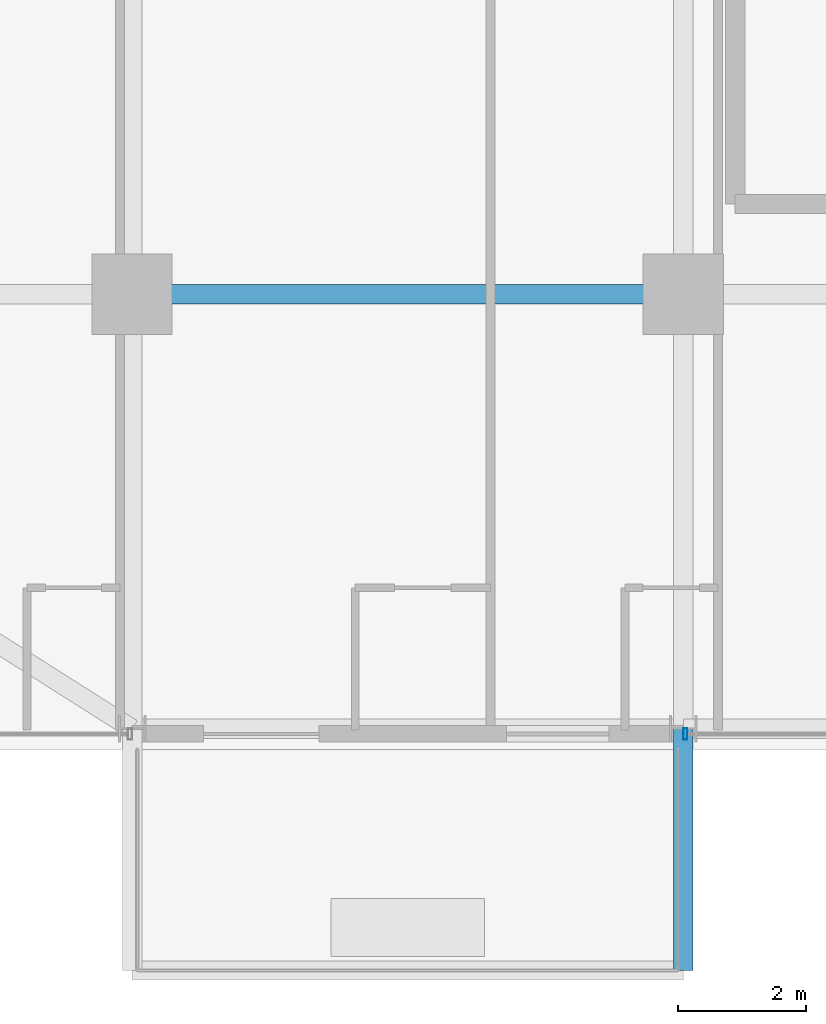
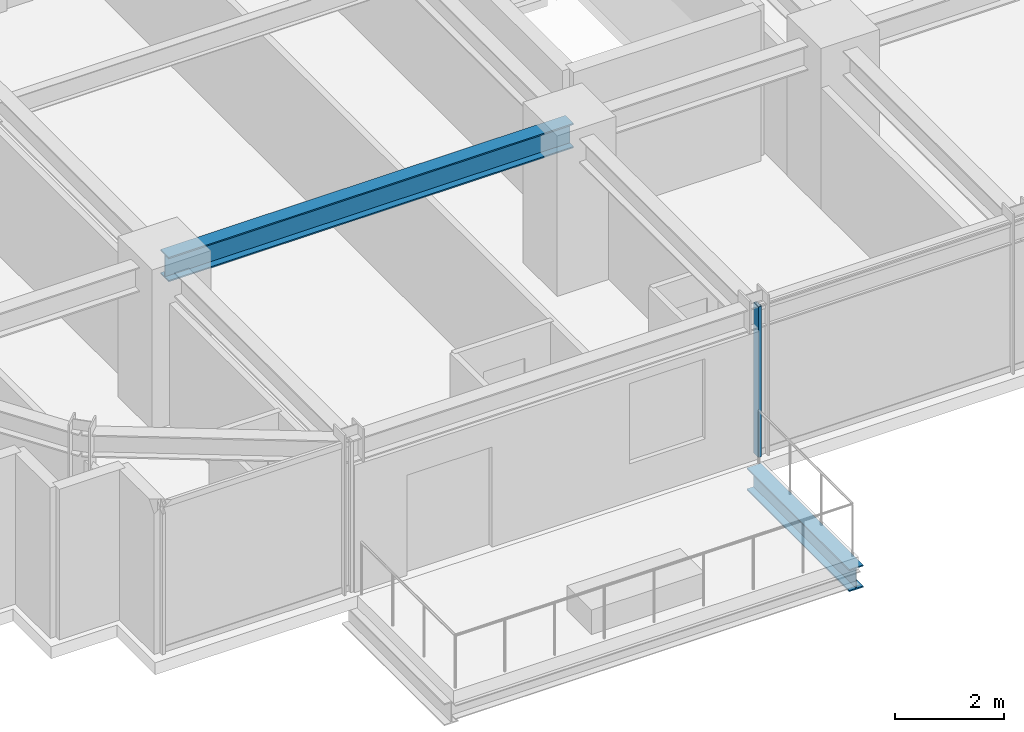
# One storey, part 5 of 32: 2 beams, 1 member, 1 element without a shape of its own.
"""IFC4 building model written with IfcOpenShell, lengths in metres."""

from ifc_helpers import new_model, si_unit, direction, frame, origin, origin_2d, place, context, subcontext, project, spatial, hollow_rectangle, i_section, extrude, source, transform, mapped, material, material_profile, profile_set, type_object, element, aggregate, save


model = new_model("IFC4")

# Units and contexts
model_context = context("Model", 3, precision=1e-05, world=origin(), true_north=direction((0.0, 1.0)))
body_context = subcontext(model_context, "Body", "Model", "MODEL_VIEW")
ifc_project = project(units=[si_unit("LENGTHUNIT", "METRE"), si_unit("AREAUNIT", "SQUARE_METRE"), si_unit("VOLUMEUNIT", "CUBIC_METRE"), si_unit("PLANEANGLEUNIT", "RADIAN"), si_unit("MASSUNIT", "GRAM", prefix="KILO")], contexts=[model_context])

# Site, building, storey
site_placement = place(None, origin())
site = spatial("IfcSite", under=ifc_project, at=site_placement, CompositionType="ELEMENT")
building_placement = place(site_placement, origin())
building = spatial("IfcBuilding", under=site, at=building_placement, Name="Nahalor Promenade Grand Hotel", CompositionType="ELEMENT")
storey_placement = place(building_placement, frame((0.0, 0.0, 124.800048828125)))
storey = spatial("IfcBuildingStorey", under=building, at=storey_placement, Name="L31", CompositionType="ELEMENT", Elevation=124.800048828125)

# Beams
ifc_material_1 = material(Name="Steel S355JR", Category="steel")
ifc_material_profile_1 = material_profile(ifc_material_1, i_section(OverallWidth=0.3, OverallDepth=0.5, WebThickness=0.0145, FlangeThickness=0.028, at=origin_2d()), Name="HEB 500")
ifc_profile_set_1 = profile_set([ifc_material_profile_1], Name="Steel S355JR")
beam_type_1 = type_object("IfcBeamType", Name="Beam-Outrigger-HEB500", PredefinedType="BEAM", material=ifc_profile_set_1)
shared_shape_1 = source(origin(), body_context, "Body", "SweptSolid", [
    extrude(i_section(OverallWidth=0.3, OverallDepth=0.5, WebThickness=0.0145, FlangeThickness=0.028, at=origin_2d()), origin(), (0.0, 0.0, 1.0), 3.77001953125),
])
beam_1_placement = place(storey_placement, frame((-8.39990234375, -27.550048828125, -0.530029296875), z_axis=(0.0, 1.0, 0.0), x_axis=(-1.0, 0.0, 0.0)))
element("IfcBeam", 1, at=beam_1_placement, inside=storey, type_object=beam_type_1, Name="BM-L31-BC-01-2", PredefinedType="BEAM", context=body_context, shape_type="MappedRepresentation", body=[
    mapped(shared_shape_1, transform((0.0, 0.0, 0.0), scale=1.0)),
])
ifc_material_profile_2 = material_profile(ifc_material_1, i_section(OverallWidth=0.3, OverallDepth=0.55, WebThickness=0.015, FlangeThickness=0.029, at=origin_2d()), Name="HEB 550")
ifc_profile_set_2 = profile_set([ifc_material_profile_2], Name="Steel S355JR")
beam_type_2 = type_object("IfcBeamType", Name="Beam-Girder-HEB550", PredefinedType="BEAM", material=ifc_profile_set_2)
shared_shape_2 = source(origin(), body_context, "Body", "SweptSolid", [
    extrude(i_section(OverallWidth=0.3, OverallDepth=0.55, WebThickness=0.015, FlangeThickness=0.029, at=origin_2d()), origin(), (0.0, 0.0, 1.0), 8.60009765625),
])
beam_2_placement = place(storey_placement, frame((-17.0, -17.0, 3.10498046875), z_axis=(1.0, 0.0, 0.0), x_axis=(0.0, 1.0, 0.0)))
element("IfcBeam", 2, at=beam_2_placement, inside=storey, type_object=beam_type_2, Name="BM-L31-GX-0-1", PredefinedType="BEAM", context=body_context, shape_type="MappedRepresentation", body=[
    mapped(shared_shape_2, transform((0.0, 0.0, 0.0), scale=1.0)),
])

# Curtain wall, member
ifc_material_2 = material(Name="Anodised Bronze Aluminium EN AW-6063 T6", Category="aluminium")
curtain_wall_type = type_object("IfcCurtainWallType", Name="CW2 Typical Hotel Flush Bronze Unitised Curtain Wall", PredefinedType="USERDEFINED", material=ifc_material_2)
curtain_wall_placement = place(storey_placement, origin())
curtain_wall = element("IfcCurtainWall", 3, at=curtain_wall_placement, inside=storey, type_object=curtain_wall_type, Name="L31 Curtain Wall CW-L31-S-3", ObjectType="UNITISED_CURTAIN_WALL", PredefinedType="USERDEFINED")
ifc_material_profile_3 = material_profile(ifc_material_2, hollow_rectangle(XDim=0.065, YDim=0.18, WallThickness=0.004, at=origin_2d()), Name="CWM 65x180x4")
ifc_profile_set_3 = profile_set([ifc_material_profile_3], Name="Anodised Bronze Aluminium EN AW-6063 T6")
member_type = type_object("IfcMemberType", Name="CWM2 Typical Bronze Mullion 65x180", PredefinedType="MULLION", material=ifc_profile_set_3)
shared_shape_3 = source(origin(), body_context, "Body", "SweptSolid", [
    extrude(hollow_rectangle(XDim=0.065, YDim=0.18, WallThickness=0.004, at=origin_2d()), origin(), (0.0, 0.0, 1.0), 3.3798828125),
])
member_placement = place(storey_placement, frame((-8.367431640625, -23.860107421875, 0.0), z_axis=(0.0, 0.0, 1.0), x_axis=(1.0, 0.0, 0.0)))
member = element("IfcMember", 4, at=member_placement, type_object=member_type, Name="CW-L31-S-3 Mullion 0", PredefinedType="MULLION", context=body_context, shape_type="MappedRepresentation", body=[
    mapped(shared_shape_3, transform((0.0, 0.0, 0.0), scale=1.0)),
])
aggregate(curtain_wall, [member])

save(model, "model.ifc")
